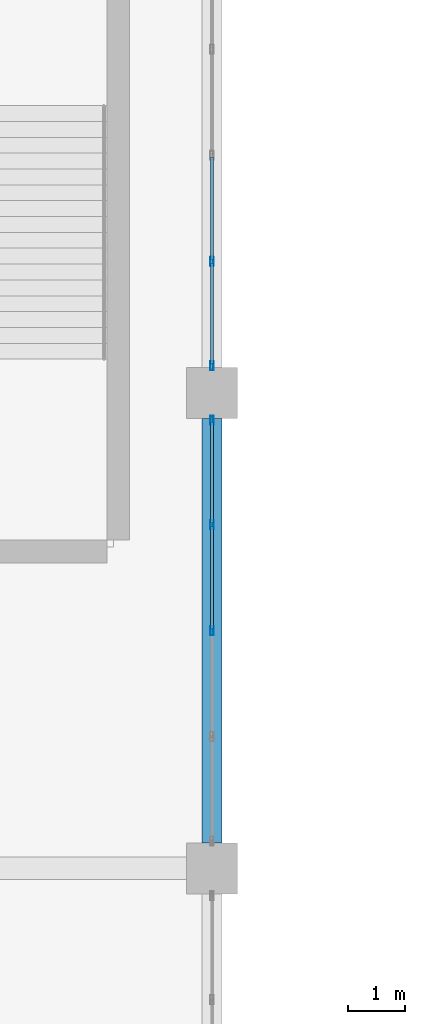
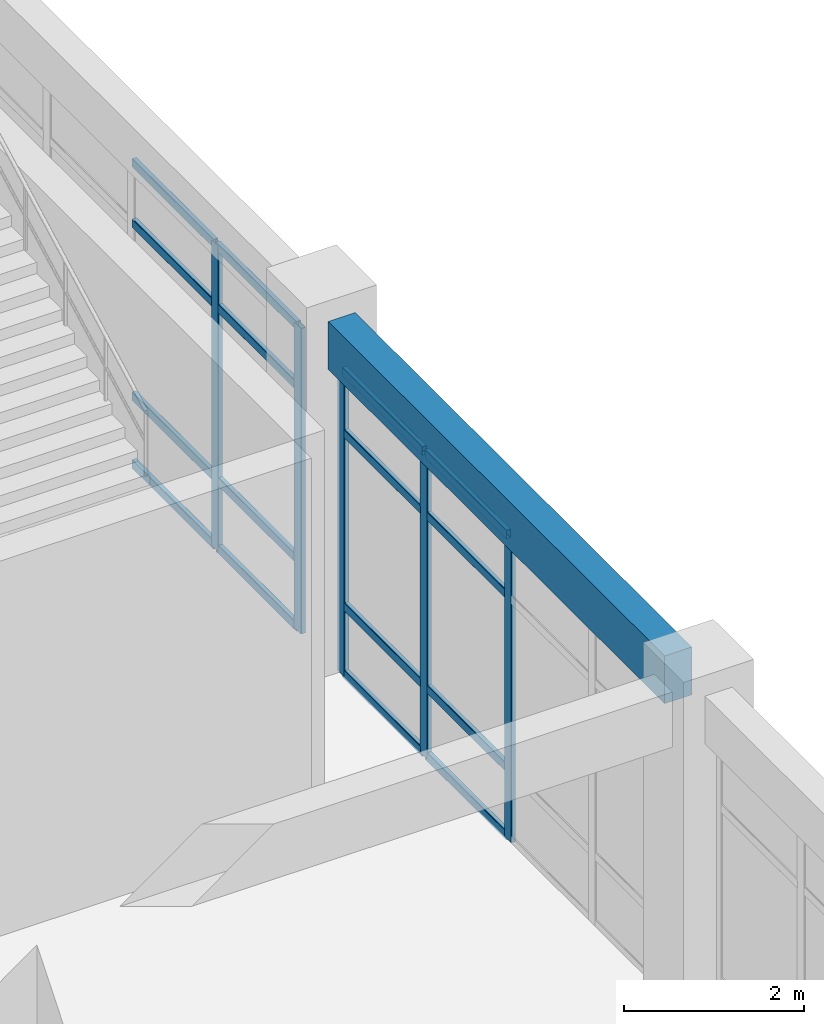
# One storey, part 26 of 120: 21 members, 1 beam, 2 elements without a shape of their own.
"""IFC4 building model written with IfcOpenShell, lengths in metres."""

import ifcopenshell
import ifcopenshell.guid

model = None  # the IFC model being written
_history = None  # IfcOwnerHistory: only IFC2X3 demands one
_inside = {}  # id of a spatial element -> (the spatial element, [elements in it])
_under = {}  # id of a project, library or spatial element -> (it, [spatial elements below it])
_declared = {}  # id of a project -> (the project, [libraries it declares])
_typed = {}  # id of a type object -> (the type object, [elements of that type])
_made_of = {}  # id of a material, layer set ... -> (it, [elements and type objects made of it])


def new_model(schema):
    """Start an empty IFC model of exactly this schema.

    Asked for "IFC4X3", IfcOpenShell would pick the latest addendum, in which some entities
    have other attributes; the version numbers below select the first issue.
    IFC2X3 requires an IfcOwnerHistory on every rooted entity: one is made here for all.
    """
    global model, _history
    if schema == "IFC4X3":
        model = ifcopenshell.file(schema_version=(4, 3, 0, 0))
    else:
        model = ifcopenshell.file(schema=schema)
    _inside.clear()
    _under.clear()
    _declared.clear()
    _typed.clear()
    _made_of.clear()
    _history = None
    if model.schema == "IFC2X3":
        org = make("IfcOrganization", Name="unknown")
        user = make(
            "IfcPersonAndOrganization",
            ThePerson=make("IfcPerson", FamilyName="unknown"),
            TheOrganization=org,
        )
        app = make(
            "IfcApplication",
            ApplicationDeveloper=org,
            Version="unknown",
            ApplicationFullName="unknown",
            ApplicationIdentifier="unknown",
        )
        _history = make(
            "IfcOwnerHistory",
            OwningUser=user,
            OwningApplication=app,
            ChangeAction="ADDED",
            CreationDate=0,
        )
    return model


def make(cls, **values):
    """One entity of the class cls with the attributes given. An attribute that is None is left unset."""
    return model.create_entity(
        cls, **{name: value for name, value in values.items() if value is not None}
    )


def rooted(cls, **values):
    """An entity with a GlobalId (a new one), such as an element, a storey or a relation."""
    return make(cls, GlobalId=ifcopenshell.guid.new(), OwnerHistory=_history, **values)


def si_unit(unit_type, name, prefix=None):
    """IfcSIUnit, for example si_unit("LENGTHUNIT", "METRE", prefix="MILLI")."""
    return make("IfcSIUnit", UnitType=unit_type, Prefix=prefix, Name=name)


def derived_unit(unit_type, elements):
    """IfcDerivedUnit: a product of units, each with its exponent."""
    return make(
        "IfcDerivedUnit",
        Elements=[
            make("IfcDerivedUnitElement", Unit=unit, Exponent=power)
            for unit, power in elements
        ],
        UnitType=unit_type,
    )


def assignment(units):
    """IfcUnitAssignment: the units of a project."""
    return None if units is None else make("IfcUnitAssignment", Units=units)


def point(xyz):
    """IfcCartesianPoint."""
    return None if xyz is None else make("IfcCartesianPoint", Coordinates=xyz)


def direction(xyz):
    """IfcDirection."""
    return None if xyz is None else make("IfcDirection", DirectionRatios=xyz)


def frame(location, z_axis=None, x_axis=None):
    """IfcAxis2Placement3D, a coordinate frame: its origin and axes. An axis left out is left unset."""
    return make(
        "IfcAxis2Placement3D",
        Location=point(location),
        Axis=direction(z_axis),
        RefDirection=direction(x_axis),
    )


def frame_2d(location, x_axis=None):
    """IfcAxis2Placement2D, a coordinate frame in the plane: its origin and x axis."""
    return make(
        "IfcAxis2Placement2D", Location=point(location), RefDirection=direction(x_axis)
    )


def origin():
    """The frame at (0, 0, 0) with its axes left unset."""
    return frame((0.0, 0.0, 0.0))


def origin_2d():
    """The frame at (0, 0) in the plane with its x axis left unset."""
    return frame_2d((0.0, 0.0))


def place(relative_to, where):
    """IfcLocalPlacement: puts the frame where relative to a parent placement (None: the world)."""
    return make(
        "IfcLocalPlacement", PlacementRelTo=relative_to, RelativePlacement=where
    )


def context(
    kind, dimensions, precision=None, world=None, true_north=None, identifier=None
):
    """IfcGeometricRepresentationContext, for example the 3D "Model" context."""
    return make(
        "IfcGeometricRepresentationContext",
        ContextIdentifier=identifier,
        ContextType=kind,
        CoordinateSpaceDimension=dimensions,
        Precision=precision,
        WorldCoordinateSystem=world,
        TrueNorth=true_north,
    )


def subcontext(parent, identifier, kind, view, scale=None):
    """IfcGeometricRepresentationSubContext, for example "Body" below "Model"."""
    return make(
        "IfcGeometricRepresentationSubContext",
        ContextIdentifier=identifier,
        ContextType=kind,
        ParentContext=parent,
        TargetScale=scale,
        TargetView=view,
    )


def project(units=None, contexts=None):
    """IfcProject with its units and contexts."""
    return rooted(
        "IfcProject",
        Name="project",
        RepresentationContexts=contexts,
        UnitsInContext=assignment(units),
    )


def spatial(cls, under=None, at=None, **own):
    """A site, building, storey or space (cls), placed at a placement, below another one or the project."""
    s = rooted(cls, ObjectPlacement=at, **own)
    if under is not None:
        _under.setdefault(under.id(), (under, []))[1].append(s)
    return s


def profile(cls, at=None, kind="AREA", **sizes):
    """A parametric profile (cls). Its sizes go by their IFC names, for example OverallWidth=200.0."""
    return make(cls, ProfileType=kind, Position=at, **sizes)


def rectangle(**sizes):
    """IfcRectangleProfileDef."""
    return profile("IfcRectangleProfileDef", **sizes)


def hollow_rectangle(**sizes):
    """IfcRectangleHollowProfileDef."""
    return profile("IfcRectangleHollowProfileDef", **sizes)


def extrude(swept, where, along, depth):
    """IfcExtrudedAreaSolid: the profile swept, set in the frame where, extruded along a direction by depth."""
    return make(
        "IfcExtrudedAreaSolid",
        SweptArea=swept,
        Position=where,
        ExtrudedDirection=direction(along),
        Depth=depth,
    )


def shape(context_of_items, identifier, shape_type, items):
    """IfcShapeRepresentation: the items that make up one representation, for example the "Body"."""
    return make(
        "IfcShapeRepresentation",
        ContextOfItems=context_of_items,
        RepresentationIdentifier=identifier,
        RepresentationType=shape_type,
        Items=items,
    )


def material(Name=None, Category=None):
    """IfcMaterial."""
    return make("IfcMaterial", Name=Name, Category=Category)


def layer(
    of_material, thickness, ventilated=None, Name=None, Category=None, Priority=None
):
    """IfcMaterialLayer: one layer of a wall or slab, of a material (None: an air gap)."""
    return make(
        "IfcMaterialLayer",
        Material=of_material,
        LayerThickness=thickness,
        IsVentilated=ventilated,
        Name=Name,
        Category=Category,
        Priority=Priority,
    )


def layer_set(layers, Name=None):
    """IfcMaterialLayerSet."""
    return make("IfcMaterialLayerSet", MaterialLayers=layers, LayerSetName=Name)


def material_profile(
    of_material, cross_section, Name=None, Category=None, Priority=None
):
    """IfcMaterialProfile: a cross section and its material."""
    return make(
        "IfcMaterialProfile",
        Name=Name,
        Material=of_material,
        Profile=cross_section,
        Priority=Priority,
        Category=Category,
    )


def profile_set(profiles, Name=None, composite=None):
    """IfcMaterialProfileSet."""
    return make(
        "IfcMaterialProfileSet",
        Name=Name,
        MaterialProfiles=profiles,
        CompositeProfile=composite,
    )


def made_of(thing, what):
    """Note that an element or type object is made of a material, layer set ...; save() writes the relation."""
    if what is not None:
        _made_of.setdefault(what.id(), (what, []))[1].append(thing)
    return thing


def type_object(cls, material=None, **own):
    """A type object (cls), such as IfcWallType, which elements share."""
    return made_of(rooted(cls, **own), material)


def element(
    cls,
    number,
    at=None,
    inside=None,
    cuts=None,
    type_object=None,
    material=None,
    context=None,
    identifier="Body",
    shape_type=None,
    held_by="IfcProductDefinitionShape",
    body=None,
    shapes=None,
    **own,
):
    """One element of the class cls, such as IfcWall. Its Tag is "e" and its number.

    at: its placement. inside: the storey or other place that contains it. cuts: it is an
    opening in that element (IfcRelVoidsElement). A single representation is given by context,
    identifier, shape_type and body (its items); several are given by shapes. held_by: the class
    of the entity that holds the representations. save() writes the other relations.
    """
    e = rooted(cls, Tag="e%d" % number, ObjectPlacement=at, **own)
    if body is not None:
        shapes = [shape(context, identifier, shape_type, body)]
    if shapes is not None:
        e.Representation = make(held_by, Representations=shapes)
    if inside is not None:
        _inside.setdefault(inside.id(), (inside, []))[1].append(e)
    if cuts is not None:
        rooted(
            "IfcRelVoidsElement", RelatingBuildingElement=cuts, RelatedOpeningElement=e
        )
    if type_object is not None:
        _typed.setdefault(type_object.id(), (type_object, []))[1].append(e)
    return made_of(e, material)


def aggregate(whole, parts):
    """IfcRelAggregates: a whole, such as a stair, and the parts it consists of."""
    return rooted("IfcRelAggregates", RelatingObject=whole, RelatedObjects=parts)


def save(model, path):
    """Write the relations noted so far, then the file.

    IfcRelAggregates (storeys below a building ...), IfcRelContainedInSpatialStructure (elements
    in a storey), IfcRelDefinesByType, IfcRelAssociatesMaterial and IfcRelDeclares: one each for
    every whole, place, type object, material and project.
    """
    for whole, parts in _under.values():
        aggregate(whole, parts)
    for where, things in _inside.values():
        rooted(
            "IfcRelContainedInSpatialStructure",
            RelatedElements=things,
            RelatingStructure=where,
        )
    for kind, things in _typed.values():
        rooted("IfcRelDefinesByType", RelatedObjects=things, RelatingType=kind)
    for what, things in _made_of.values():
        rooted("IfcRelAssociatesMaterial", RelatedObjects=things, RelatingMaterial=what)
    for by, libraries in _declared.values():
        rooted("IfcRelDeclares", RelatingContext=by, RelatedDefinitions=libraries)
    model.write(path)


model = new_model("IFC4")

# Units and contexts
model_context = context("Model", 3, precision=1e-05, world=origin(), true_north=direction((0.0, 1.0)))
body_context = subcontext(model_context, "Body", "Model", "MODEL_VIEW")
ifc_project = project(units=[si_unit("LENGTHUNIT", "METRE"), si_unit("AREAUNIT", "SQUARE_METRE"), si_unit("VOLUMEUNIT", "CUBIC_METRE"), si_unit("PLANEANGLEUNIT", "RADIAN"), si_unit("MASSUNIT", "GRAM", prefix="KILO"), derived_unit("THERMALTRANSMITTANCEUNIT", [(si_unit("MASSUNIT", "GRAM", prefix="KILO"), 1), (si_unit("TIMEUNIT", "SECOND"), -3), (si_unit("THERMODYNAMICTEMPERATUREUNIT", "KELVIN"), -1)])], contexts=[model_context])

# Site, building, storey
site_placement = place(None, origin())
site = spatial("IfcSite", under=ifc_project, at=site_placement, CompositionType="ELEMENT")
building_placement = place(site_placement, origin())
building = spatial("IfcBuilding", under=site, at=building_placement, Name="Qinzheling Arcade Emporium", CompositionType="ELEMENT")
storey_placement = place(building_placement, frame((0.0, 0.0, 11.39990234375)))
storey = spatial("IfcBuildingStorey", under=building, at=storey_placement, Name="L03", CompositionType="ELEMENT", Elevation=11.39990234375)

# Curtain wall, members
ifc_material_1 = material(Name="Anodised aluminium and solar-control double glazing", Category="aluminium")
ifc_layer = layer(ifc_material_1, 0.159912109375, Name="Anodised aluminium and solar-control double glazing", Category="aluminium")
ifc_layer_set = layer_set([ifc_layer], Name="Anodised aluminium and solar-control double glazing")
curtain_wall_type = type_object("IfcCurtainWallType", Name="Arcade Portal Glazed Curtain Wall", PredefinedType="NOTDEFINED", material=ifc_layer_set)
curtain_wall_1_placement = place(storey_placement, origin())
curtain_wall_1 = element("IfcCurtainWall", 1, at=curtain_wall_1_placement, inside=storey, type_object=curtain_wall_type, Name="Curtain Wall CW-L03-146", PredefinedType="NOTDEFINED")
ifc_material_2 = material(Name="Anodised aluminium 6063-T6", Category="aluminium")
ifc_material_profile_1 = material_profile(ifc_material_2, hollow_rectangle(XDim=0.06005859375, YDim=0.159912109375, WallThickness=0.00390625, InnerFilletRadius=0.00390625, OuterFilletRadius=0.008056640625, at=origin_2d()), Name="RHS 160x60x4", Category="aluminium")
ifc_profile_set_1 = profile_set([ifc_material_profile_1], Name="Anodised aluminium 6063-T6")
member_type_1 = type_object("IfcMemberType", Name="Curtain Wall Mullion RHS160x60", PredefinedType="MULLION", material=ifc_profile_set_1)
member_1_placement = place(storey_placement, frame((69.60009765625, 27.52587890625, 0.0), z_axis=(0.0, 0.0, 1.0), x_axis=(1.0, 0.0, 0.0)))
member_1 = element("IfcMember", 2, at=member_1_placement, type_object=member_type_1, Name="CW05 mullion 4", PredefinedType="MULLION", context=body_context, shape_type="SweptSolid", body=[
    extrude(hollow_rectangle(XDim=0.06005859375, YDim=0.159912109375, WallThickness=0.00390625, InnerFilletRadius=0.00390625, OuterFilletRadius=0.008056640625, at=origin_2d()), origin(), (0.0, 0.0, 1.0), 4.155029296875),
])
member_2_placement = place(storey_placement, frame((69.60009765625, 25.681884765625, 0.0), z_axis=(0.0, 0.0, 1.0), x_axis=(1.0, 0.0, 0.0)))
member_2 = element("IfcMember", 3, at=member_2_placement, type_object=member_type_1, Name="CW05 mullion 5", PredefinedType="MULLION", context=body_context, shape_type="SweptSolid", body=[
    extrude(hollow_rectangle(XDim=0.06005859375, YDim=0.159912109375, WallThickness=0.00390625, InnerFilletRadius=0.00390625, OuterFilletRadius=0.008056640625, at=origin_2d()), origin(), (0.0, 0.0, 1.0), 4.155029296875),
])

curtain_wall_2_placement = place(storey_placement, origin())
curtain_wall_2 = element("IfcCurtainWall", 4, at=curtain_wall_2_placement, inside=storey, type_object=curtain_wall_type, Name="Curtain Wall CW-L03-147", PredefinedType="NOTDEFINED")
member_3_placement = place(storey_placement, frame((69.60009765625, 24.718017578125, 0.0), z_axis=(0.0, 0.0, 1.0), x_axis=(1.0, 0.0, 0.0)))
member_3 = element("IfcMember", 5, at=member_3_placement, type_object=member_type_1, Name="CW05 mullion 1", PredefinedType="MULLION", context=body_context, shape_type="SweptSolid", body=[
    extrude(hollow_rectangle(XDim=0.06005859375, YDim=0.159912109375, WallThickness=0.00390625, InnerFilletRadius=0.00390625, OuterFilletRadius=0.008056640625, at=origin_2d()), origin(), (0.0, 0.0, 1.0), 4.155029296875),
])
member_4_placement = place(storey_placement, frame((69.60009765625, 22.8740234375, 0.0), z_axis=(0.0, 0.0, 1.0), x_axis=(1.0, 0.0, 0.0)))
member_4 = element("IfcMember", 6, at=member_4_placement, type_object=member_type_1, Name="CW05 mullion 2", PredefinedType="MULLION", context=body_context, shape_type="SweptSolid", body=[
    extrude(hollow_rectangle(XDim=0.06005859375, YDim=0.159912109375, WallThickness=0.00390625, InnerFilletRadius=0.00390625, OuterFilletRadius=0.008056640625, at=origin_2d()), origin(), (0.0, 0.0, 1.0), 4.155029296875),
])
member_5_placement = place(storey_placement, frame((69.60009765625, 21.0, 0.0), z_axis=(0.0, 0.0, 1.0), x_axis=(1.0, 0.0, 0.0)))
member_5 = element("IfcMember", 7, at=member_5_placement, type_object=member_type_1, Name="CW05 mullion 3", PredefinedType="MULLION", context=body_context, shape_type="SweptSolid", body=[
    extrude(hollow_rectangle(XDim=0.06005859375, YDim=0.159912109375, WallThickness=0.00390625, InnerFilletRadius=0.00390625, OuterFilletRadius=0.008056640625, at=origin_2d()), origin(), (0.0, 0.0, 1.0), 4.155029296875),
])

# Member
ifc_material_profile_2 = material_profile(ifc_material_2, hollow_rectangle(XDim=0.06005859375, YDim=0.1201171875, WallThickness=0.00390625, InnerFilletRadius=0.00390625, OuterFilletRadius=0.008056640625, at=origin_2d()), Name="RHS 120x60x4", Category="aluminium")
ifc_profile_set_2 = profile_set([ifc_material_profile_2], Name="Anodised aluminium 6063-T6")
member_type_2 = type_object("IfcMemberType", Name="Curtain Wall Transom RHS120x60", PredefinedType="USERDEFINED", material=ifc_profile_set_2)
member_6_placement = place(storey_placement, frame((69.60009765625, 29.3701171875, 0.030029296875), z_axis=(0.0, -1.0, 0.0), x_axis=(1.0, 0.0, 0.0)))
member_6 = element("IfcMember", 8, at=member_6_placement, type_object=member_type_2, Name="CW05 transom 3.1", ObjectType="TRANSOM", PredefinedType="USERDEFINED", context=body_context, shape_type="SweptSolid", body=[
    extrude(hollow_rectangle(XDim=0.06005859375, YDim=0.1201171875, WallThickness=0.00390625, InnerFilletRadius=0.00390625, OuterFilletRadius=0.008056640625, at=origin_2d()), origin(), (0.0, 0.0, 1.0), 1.814208984375),
])

member_7_placement = place(storey_placement, frame((69.60009765625, 29.3701171875, 0.9501953125), z_axis=(0.0, -1.0, 0.0), x_axis=(1.0, 0.0, 0.0)))
member_7 = element("IfcMember", 9, at=member_7_placement, type_object=member_type_2, Name="CW05 transom 3.2", ObjectType="TRANSOM", PredefinedType="USERDEFINED", context=body_context, shape_type="SweptSolid", body=[
    extrude(hollow_rectangle(XDim=0.06005859375, YDim=0.1201171875, WallThickness=0.00390625, InnerFilletRadius=0.00390625, OuterFilletRadius=0.008056640625, at=origin_2d()), origin(), (0.0, 0.0, 1.0), 1.814208984375),
])

member_8_placement = place(storey_placement, frame((69.60009765625, 29.3701171875, 3.30517578125), z_axis=(0.0, -1.0, 0.0), x_axis=(1.0, 0.0, 0.0)))
member_8 = element("IfcMember", 10, at=member_8_placement, type_object=member_type_2, Name="CW05 transom 3.3", ObjectType="TRANSOM", PredefinedType="USERDEFINED", context=body_context, shape_type="SweptSolid", body=[
    extrude(hollow_rectangle(XDim=0.06005859375, YDim=0.1201171875, WallThickness=0.00390625, InnerFilletRadius=0.00390625, OuterFilletRadius=0.008056640625, at=origin_2d()), origin(), (0.0, 0.0, 1.0), 1.814208984375),
])

member_9_placement = place(storey_placement, frame((69.60009765625, 29.3701171875, 4.125), z_axis=(0.0, -1.0, 0.0), x_axis=(1.0, 0.0, 0.0)))
member_9 = element("IfcMember", 11, at=member_9_placement, type_object=member_type_2, Name="CW05 transom 3.4", ObjectType="TRANSOM", PredefinedType="USERDEFINED", context=body_context, shape_type="SweptSolid", body=[
    extrude(hollow_rectangle(XDim=0.06005859375, YDim=0.1201171875, WallThickness=0.00390625, InnerFilletRadius=0.00390625, OuterFilletRadius=0.008056640625, at=origin_2d()), origin(), (0.0, 0.0, 1.0), 1.814208984375),
])

member_10_placement = place(storey_placement, frame((69.60009765625, 27.49609375, 0.030029296875), z_axis=(0.0, -1.0, 0.0), x_axis=(1.0, 0.0, 0.0)))
member_10 = element("IfcMember", 12, at=member_10_placement, type_object=member_type_2, Name="CW05 transom 4.1", ObjectType="TRANSOM", PredefinedType="USERDEFINED", context=body_context, shape_type="SweptSolid", body=[
    extrude(hollow_rectangle(XDim=0.06005859375, YDim=0.1201171875, WallThickness=0.00390625, InnerFilletRadius=0.00390625, OuterFilletRadius=0.008056640625, at=origin_2d()), origin(), (0.0, 0.0, 1.0), 1.7841796875),
])

member_11_placement = place(storey_placement, frame((69.60009765625, 27.49609375, 0.9501953125), z_axis=(0.0, -1.0, 0.0), x_axis=(1.0, 0.0, 0.0)))
member_11 = element("IfcMember", 13, at=member_11_placement, type_object=member_type_2, Name="CW05 transom 4.2", ObjectType="TRANSOM", PredefinedType="USERDEFINED", context=body_context, shape_type="SweptSolid", body=[
    extrude(hollow_rectangle(XDim=0.06005859375, YDim=0.1201171875, WallThickness=0.00390625, InnerFilletRadius=0.00390625, OuterFilletRadius=0.008056640625, at=origin_2d()), origin(), (0.0, 0.0, 1.0), 1.7841796875),
])

member_12_placement = place(storey_placement, frame((69.60009765625, 27.49609375, 3.30517578125), z_axis=(0.0, -1.0, 0.0), x_axis=(1.0, 0.0, 0.0)))
member_12 = element("IfcMember", 14, at=member_12_placement, type_object=member_type_2, Name="CW05 transom 4.3", ObjectType="TRANSOM", PredefinedType="USERDEFINED", context=body_context, shape_type="SweptSolid", body=[
    extrude(hollow_rectangle(XDim=0.06005859375, YDim=0.1201171875, WallThickness=0.00390625, InnerFilletRadius=0.00390625, OuterFilletRadius=0.008056640625, at=origin_2d()), origin(), (0.0, 0.0, 1.0), 1.7841796875),
])

member_13_placement = place(storey_placement, frame((69.60009765625, 27.49609375, 4.125), z_axis=(0.0, -1.0, 0.0), x_axis=(1.0, 0.0, 0.0)))
member_13 = element("IfcMember", 15, at=member_13_placement, type_object=member_type_2, Name="CW05 transom 4.4", ObjectType="TRANSOM", PredefinedType="USERDEFINED", context=body_context, shape_type="SweptSolid", body=[
    extrude(hollow_rectangle(XDim=0.06005859375, YDim=0.1201171875, WallThickness=0.00390625, InnerFilletRadius=0.00390625, OuterFilletRadius=0.008056640625, at=origin_2d()), origin(), (0.0, 0.0, 1.0), 1.7841796875),
])

aggregate(curtain_wall_1, [member_1, member_2, member_6, member_7, member_8, member_9, member_10, member_11, member_12, member_13])

member_14_placement = place(storey_placement, frame((69.60009765625, 24.68798828125, 0.030029296875), z_axis=(0.0, -1.0, 0.0), x_axis=(1.0, 0.0, 0.0)))
member_14 = element("IfcMember", 16, at=member_14_placement, type_object=member_type_2, Name="CW05 transom 1.1", ObjectType="TRANSOM", PredefinedType="USERDEFINED", context=body_context, shape_type="SweptSolid", body=[
    extrude(hollow_rectangle(XDim=0.06005859375, YDim=0.1201171875, WallThickness=0.00390625, InnerFilletRadius=0.00390625, OuterFilletRadius=0.008056640625, at=origin_2d()), origin(), (0.0, 0.0, 1.0), 1.783935546875),
])

member_15_placement = place(storey_placement, frame((69.60009765625, 24.68798828125, 0.9501953125), z_axis=(0.0, -1.0, 0.0), x_axis=(1.0, 0.0, 0.0)))
member_15 = element("IfcMember", 17, at=member_15_placement, type_object=member_type_2, Name="CW05 transom 1.2", ObjectType="TRANSOM", PredefinedType="USERDEFINED", context=body_context, shape_type="SweptSolid", body=[
    extrude(hollow_rectangle(XDim=0.06005859375, YDim=0.1201171875, WallThickness=0.00390625, InnerFilletRadius=0.00390625, OuterFilletRadius=0.008056640625, at=origin_2d()), origin(), (0.0, 0.0, 1.0), 1.783935546875),
])

member_16_placement = place(storey_placement, frame((69.60009765625, 24.68798828125, 3.30517578125), z_axis=(0.0, -1.0, 0.0), x_axis=(1.0, 0.0, 0.0)))
member_16 = element("IfcMember", 18, at=member_16_placement, type_object=member_type_2, Name="CW05 transom 1.3", ObjectType="TRANSOM", PredefinedType="USERDEFINED", context=body_context, shape_type="SweptSolid", body=[
    extrude(hollow_rectangle(XDim=0.06005859375, YDim=0.1201171875, WallThickness=0.00390625, InnerFilletRadius=0.00390625, OuterFilletRadius=0.008056640625, at=origin_2d()), origin(), (0.0, 0.0, 1.0), 1.783935546875),
])

member_17_placement = place(storey_placement, frame((69.60009765625, 24.68798828125, 4.125), z_axis=(0.0, -1.0, 0.0), x_axis=(1.0, 0.0, 0.0)))
member_17 = element("IfcMember", 19, at=member_17_placement, type_object=member_type_2, Name="CW05 transom 1.4", ObjectType="TRANSOM", PredefinedType="USERDEFINED", context=body_context, shape_type="SweptSolid", body=[
    extrude(hollow_rectangle(XDim=0.06005859375, YDim=0.1201171875, WallThickness=0.00390625, InnerFilletRadius=0.00390625, OuterFilletRadius=0.008056640625, at=origin_2d()), origin(), (0.0, 0.0, 1.0), 1.783935546875),
])

member_18_placement = place(storey_placement, frame((69.60009765625, 22.843994140625, 0.030029296875), z_axis=(0.0, -1.0, 0.0), x_axis=(1.0, 0.0, 0.0)))
member_18 = element("IfcMember", 20, at=member_18_placement, type_object=member_type_2, Name="CW05 transom 2.1", ObjectType="TRANSOM", PredefinedType="USERDEFINED", context=body_context, shape_type="SweptSolid", body=[
    extrude(hollow_rectangle(XDim=0.06005859375, YDim=0.1201171875, WallThickness=0.00390625, InnerFilletRadius=0.00390625, OuterFilletRadius=0.008056640625, at=origin_2d()), origin(), (0.0, 0.0, 1.0), 1.81396484375),
])

member_19_placement = place(storey_placement, frame((69.60009765625, 22.843994140625, 0.9501953125), z_axis=(0.0, -1.0, 0.0), x_axis=(1.0, 0.0, 0.0)))
member_19 = element("IfcMember", 21, at=member_19_placement, type_object=member_type_2, Name="CW05 transom 2.2", ObjectType="TRANSOM", PredefinedType="USERDEFINED", context=body_context, shape_type="SweptSolid", body=[
    extrude(hollow_rectangle(XDim=0.06005859375, YDim=0.1201171875, WallThickness=0.00390625, InnerFilletRadius=0.00390625, OuterFilletRadius=0.008056640625, at=origin_2d()), origin(), (0.0, 0.0, 1.0), 1.81396484375),
])

member_20_placement = place(storey_placement, frame((69.60009765625, 22.843994140625, 3.30517578125), z_axis=(0.0, -1.0, 0.0), x_axis=(1.0, 0.0, 0.0)))
member_20 = element("IfcMember", 22, at=member_20_placement, type_object=member_type_2, Name="CW05 transom 2.3", ObjectType="TRANSOM", PredefinedType="USERDEFINED", context=body_context, shape_type="SweptSolid", body=[
    extrude(hollow_rectangle(XDim=0.06005859375, YDim=0.1201171875, WallThickness=0.00390625, InnerFilletRadius=0.00390625, OuterFilletRadius=0.008056640625, at=origin_2d()), origin(), (0.0, 0.0, 1.0), 1.81396484375),
])

member_21_placement = place(storey_placement, frame((69.60009765625, 22.843994140625, 4.125), z_axis=(0.0, -1.0, 0.0), x_axis=(1.0, 0.0, 0.0)))
member_21 = element("IfcMember", 23, at=member_21_placement, type_object=member_type_2, Name="CW05 transom 2.4", ObjectType="TRANSOM", PredefinedType="USERDEFINED", context=body_context, shape_type="SweptSolid", body=[
    extrude(hollow_rectangle(XDim=0.06005859375, YDim=0.1201171875, WallThickness=0.00390625, InnerFilletRadius=0.00390625, OuterFilletRadius=0.008056640625, at=origin_2d()), origin(), (0.0, 0.0, 1.0), 1.81396484375),
])

aggregate(curtain_wall_2, [member_3, member_4, member_5, member_14, member_15, member_16, member_17, member_18, member_19, member_20, member_21])

# Beam
ifc_material_3 = material(Name="Concrete C40", Category="concrete")
ifc_material_profile_3 = material_profile(ifc_material_3, rectangle(XDim=0.35009765625, YDim=0.64990234375, at=origin_2d()), Name="RC 350x650", Category="concrete")
ifc_profile_set_3 = profile_set([ifc_material_profile_3], Name="Concrete C40")
beam_type = type_object("IfcBeamType", Name="RC Spandrel Edge Beam 350x650 C40", PredefinedType="SPANDREL", material=ifc_profile_set_3)
beam_placement = place(storey_placement, frame((69.60009765625, 17.25, 4.4951171875), z_axis=(0.0, 1.0, 0.0), x_axis=(-1.0, 0.0, 0.0)))
element("IfcBeam", 24, at=beam_placement, inside=storey, type_object=beam_type, Name="Beam BM-L03-Y-9-C", PredefinedType="SPANDREL", context=body_context, shape_type="SweptSolid", body=[
    extrude(rectangle(XDim=0.35009765625, YDim=0.64990234375, at=origin_2d()), origin(), (0.0, 0.0, 1.0), 7.5),
])

save(model, "model.ifc")
